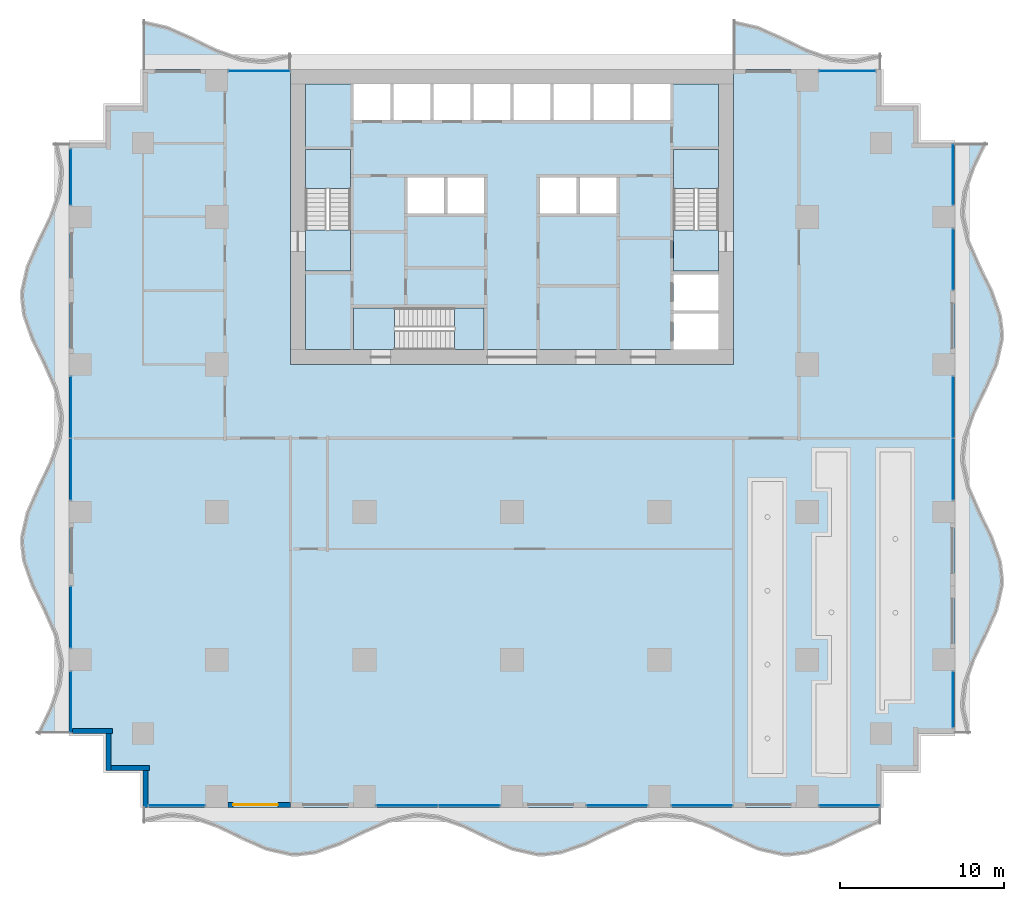
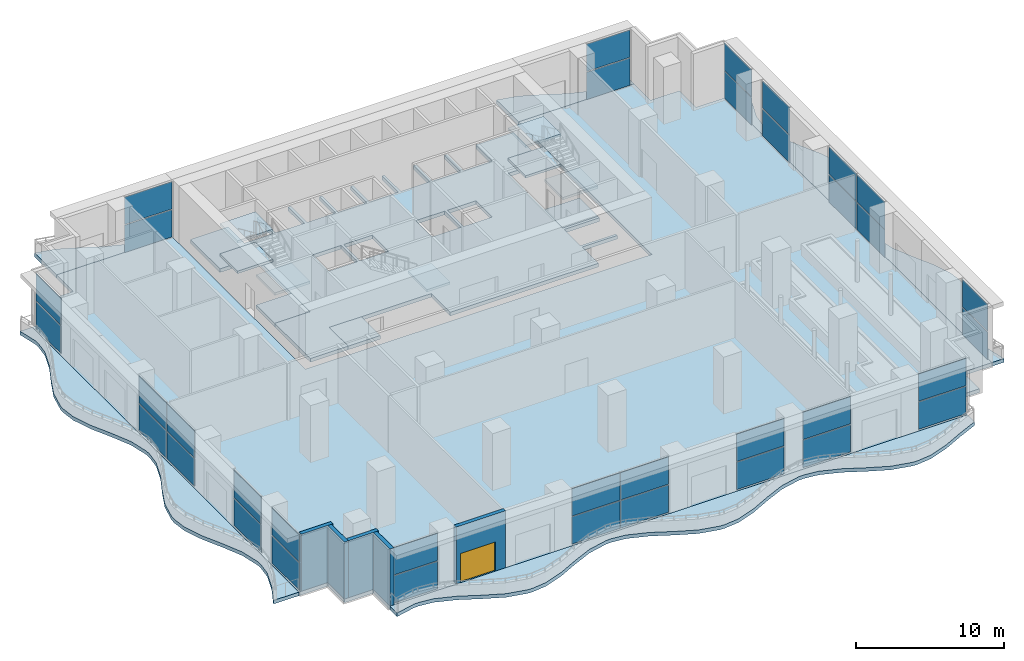
# One storey, part 6 of 18: 36 plates, 17 slabs, 5 walls, 1 door, 1 opening, 18 elements without a shape of their own.
"""IFC4 building model written with IfcOpenShell, lengths in metres."""

from ifc_helpers import new_model, si_unit, direction, frame, frame_2d, origin, origin_2d, place, context, subcontext, project, spatial, polyline, rectangle, outline, extrude, material, layer, layer_set, type_object, element, fill, aggregate, save


model = new_model("IFC4")

# Units and contexts
model_context = context("Model", 3, precision=1e-05, world=origin(), true_north=direction((0.0, 1.0)))
body_context = subcontext(model_context, "Body", "Model", "MODEL_VIEW")
ifc_project = project(units=[si_unit("LENGTHUNIT", "METRE"), si_unit("AREAUNIT", "SQUARE_METRE"), si_unit("VOLUMEUNIT", "CUBIC_METRE"), si_unit("PLANEANGLEUNIT", "RADIAN"), si_unit("MASSUNIT", "GRAM", prefix="KILO")], contexts=[model_context])

# Site, building, storey
site_placement = place(None, origin())
site = spatial("IfcSite", under=ifc_project, at=site_placement, CompositionType="ELEMENT")
building_placement = place(site_placement, origin())
building = spatial("IfcBuilding", under=site, at=building_placement, Name="Orbiselva Terraces", CompositionType="ELEMENT")
storey_placement = place(building_placement, frame((0.0, 0.0, 64.4)))
storey = spatial("IfcBuildingStorey", under=building, at=storey_placement, Name="L16", CompositionType="ELEMENT", Elevation=64.4)

# Slabs
ifc_material_1 = material(Name="Concrete C40/50", Category="concrete")
ifc_layer_1 = layer(ifc_material_1, 0.3)
ifc_layer_set_1 = layer_set([ifc_layer_1], Name="Concrete C40/50")
slab_type_1 = type_object("IfcSlabType", Name="CORE-SLAB-FLOOR-300", PredefinedType="FLOOR", material=ifc_layer_set_1)
slab_1_placement = place(storey_placement, frame((0.0, 0.0, -0.3)))
element("IfcSlab", 1, at=slab_1_placement, inside=storey, type_object=slab_type_1, Name="L16 S1 floor landing", PredefinedType="FLOOR", context=body_context, shape_type="SweptSolid", body=[
    extrude(outline(polyline([(-12.6, 12.7), (-9.85, 12.7), (-9.85, 10.2), (-12.6, 10.2), (-12.6, 12.7)])), origin(), (0.0, 0.0, 1.0), 0.3),
])
slab_2_placement = place(storey_placement, frame((0.0, 0.0, -0.3)))
element("IfcSlab", 2, at=slab_2_placement, inside=storey, type_object=slab_type_1, Name="L16 S2 floor landing", PredefinedType="FLOOR", context=body_context, shape_type="SweptSolid", body=[
    extrude(outline(polyline([(12.6, 12.7), (12.6, 10.2), (9.85, 10.2), (9.85, 12.7), (12.6, 12.7)])), origin(), (0.0, 0.0, 1.0), 0.3),
])
slab_3_placement = place(storey_placement, frame((0.0, 0.0, -0.3)))
element("IfcSlab", 3, at=slab_3_placement, inside=storey, type_object=slab_type_1, Name="L16 S3 floor landing", PredefinedType="FLOOR", context=body_context, shape_type="SweptSolid", body=[
    extrude(outline(polyline([(-7.15, 5.4), (-9.65, 5.4), (-9.65, 7.95), (-7.15, 7.95), (-7.15, 5.4)])), origin(), (0.0, 0.0, 1.0), 0.3),
])
slab_4_placement = place(storey_placement, frame((0.0, 0.0, -0.3)))
element("IfcSlab", 4, at=slab_4_placement, inside=storey, type_object=slab_type_1, Name="L16 core floor slab 1", PredefinedType="FLOOR", context=body_context, shape_type="SweptSolid", body=[
    extrude(outline(polyline([(-1.7, 5.4), (-1.7, 7.95), (-9.65, 7.95), (-9.65, 5.4), (-12.6, 5.4), (-12.6, 10.2), (-9.85, 10.2), (-9.85, 17.6), (-12.6, 17.6), (-12.6, 21.6), (-9.65, 21.6), (-9.65, 19.4), (-7.4125, 19.4), (-7.4125, 21.6), (-7.2125, 21.6), (-7.2125, 19.4), (-4.975, 19.4), (-4.975, 21.6), (-4.775, 21.6), (-4.775, 19.4), (-2.5375, 19.4), (-2.5375, 21.6), (-2.3375, 21.6), (-2.3375, 19.4), (-0.1, 19.4), (-0.1, 21.6), (0.1, 21.6), (0.1, 19.4), (2.3375, 19.4), (2.3375, 21.6), (2.5375, 21.6), (2.5375, 19.4), (4.775, 19.4), (4.775, 21.6), (4.975, 21.6), (4.975, 19.4), (7.2125, 19.4), (7.2125, 21.6), (7.4125, 21.6), (7.4125, 19.4), (9.65, 19.4), (9.65, 21.6), (12.6, 21.6), (12.6, 17.6), (9.85, 17.6), (9.85, 10.2), (12.6, 10.2), (12.6, 10.0), (9.85, 10.0), (9.85, 7.8), (12.6, 7.8), (12.6, 7.6), (9.85, 7.6), (9.85, 5.4), (-1.7, 5.4)]), holes=[polyline([(-4.1375, 13.7), (-4.1375, 15.9), (-6.375, 15.9), (-6.375, 13.7), (-4.1375, 13.7)]), polyline([(-1.7, 13.7), (-1.7, 15.9), (-3.9375, 15.9), (-3.9375, 13.7), (-1.7, 13.7)]), polyline([(3.9375, 13.7), (3.9375, 15.9), (1.7, 15.9), (1.7, 13.7), (3.9375, 13.7)]), polyline([(6.375, 13.7), (6.375, 15.9), (4.1375, 15.9), (4.1375, 13.7), (6.375, 13.7)])]), origin(), (0.0, 0.0, 1.0), 0.3),
])

# Stair, slabs
stair_type_1 = type_object("IfcStairType", Name="CORE-STAIR-1300", PredefinedType="HALF_TURN_STAIR", material=ifc_material_1)
stair_1_placement = place(storey_placement, origin())
stair_1 = element("IfcStair", 5, at=stair_1_placement, inside=storey, type_object=stair_type_1, Name="L16 Exit Stair S1", PredefinedType="HALF_TURN_STAIR")
ifc_layer_2 = layer(ifc_material_1, 0.2)
ifc_layer_set_2 = layer_set([ifc_layer_2], Name="Concrete C40/50")
slab_type_2 = type_object("IfcSlabType", Name="CORE-STAIR-LANDING-200", PredefinedType="LANDING", material=ifc_layer_set_2)
slab_5_placement = place(storey_placement, frame((0.0, 0.0, 1.05)))
slab_5 = element("IfcSlab", 6, at=slab_5_placement, type_object=slab_type_2, Name="S1 landing 1", PredefinedType="LANDING", context=body_context, shape_type="SweptSolid", body=[
    extrude(outline(polyline([(-9.85, 15.22), (-9.85, 17.6), (-12.6, 17.6), (-12.6, 15.22), (-9.85, 15.22)])), origin(), (0.0, 0.0, 1.0), 0.2),
])
slab_6_placement = place(storey_placement, frame((0.0, 0.0, 2.3)))
slab_6 = element("IfcSlab", 7, at=slab_6_placement, type_object=slab_type_2, Name="S1 landing 2", PredefinedType="LANDING", context=body_context, shape_type="SweptSolid", body=[
    extrude(outline(polyline([(-9.85, 10.2), (-9.85, 12.7), (-12.6, 12.7), (-12.6, 10.2), (-9.85, 10.2)])), origin(), (0.0, 0.0, 1.0), 0.2),
])
slab_7_placement = place(storey_placement, frame((0.0, 0.0, 3.55)))
slab_7 = element("IfcSlab", 8, at=slab_7_placement, type_object=slab_type_2, Name="S1 landing 3", PredefinedType="LANDING", context=body_context, shape_type="SweptSolid", body=[
    extrude(outline(polyline([(-9.85, 15.22), (-9.85, 17.6), (-12.6, 17.6), (-12.6, 15.22), (-9.85, 15.22)])), origin(), (0.0, 0.0, 1.0), 0.2),
])
aggregate(stair_1, [slab_5, slab_6, slab_7])

stair_2_placement = place(storey_placement, origin())
stair_2 = element("IfcStair", 9, at=stair_2_placement, inside=storey, type_object=stair_type_1, Name="L16 Exit Stair S2", PredefinedType="HALF_TURN_STAIR")
slab_8_placement = place(storey_placement, frame((0.0, 0.0, 1.05)))
slab_8 = element("IfcSlab", 10, at=slab_8_placement, type_object=slab_type_2, Name="S2 landing 1", PredefinedType="LANDING", context=body_context, shape_type="SweptSolid", body=[
    extrude(outline(polyline([(12.6, 15.22), (12.6, 17.6), (9.85, 17.6), (9.85, 15.22), (12.6, 15.22)])), origin(), (0.0, 0.0, 1.0), 0.2),
])
slab_9_placement = place(storey_placement, frame((0.0, 0.0, 2.3)))
slab_9 = element("IfcSlab", 11, at=slab_9_placement, type_object=slab_type_2, Name="S2 landing 2", PredefinedType="LANDING", context=body_context, shape_type="SweptSolid", body=[
    extrude(outline(polyline([(12.6, 10.2), (12.6, 12.7), (9.85, 12.7), (9.85, 10.2), (12.6, 10.2)])), origin(), (0.0, 0.0, 1.0), 0.2),
])
slab_10_placement = place(storey_placement, frame((0.0, 0.0, 3.55)))
slab_10 = element("IfcSlab", 12, at=slab_10_placement, type_object=slab_type_2, Name="S2 landing 3", PredefinedType="LANDING", context=body_context, shape_type="SweptSolid", body=[
    extrude(outline(polyline([(12.6, 15.22), (12.6, 17.6), (9.85, 17.6), (9.85, 15.22), (12.6, 15.22)])), origin(), (0.0, 0.0, 1.0), 0.2),
])
aggregate(stair_2, [slab_8, slab_9, slab_10])

# Stair, slab
stair_type_2 = type_object("IfcStairType", Name="CORE-STAIR-1200", PredefinedType="HALF_TURN_STAIR", material=ifc_material_1)
stair_3_placement = place(storey_placement, origin())
stair_3 = element("IfcStair", 13, at=stair_3_placement, inside=storey, type_object=stair_type_2, Name="L16 Exit Stair S3", PredefinedType="HALF_TURN_STAIR")
slab_11_placement = place(storey_placement, frame((0.0, 0.0, 2.3)))
slab_11 = element("IfcSlab", 14, at=slab_11_placement, type_object=slab_type_2, Name="S3 landing 1", PredefinedType="LANDING", context=body_context, shape_type="SweptSolid", body=[
    extrude(outline(polyline([(-3.51, 5.4), (-1.7, 5.4), (-1.7, 7.95), (-3.51, 7.95), (-3.51, 5.4)])), origin(), (0.0, 0.0, 1.0), 0.2),
])
aggregate(stair_3, [slab_11])

# Slabs
ifc_material_2 = material(Name="Concrete C50/60", Category="concrete")
ifc_layer_3 = layer(ifc_material_2, 0.3)
ifc_layer_set_3 = layer_set([ifc_layer_3], Name="Concrete C50/60")
slab_type_3 = type_object("IfcSlabType", Name="ENV-BALCONY-SLAB-300", PredefinedType="FLOOR", material=ifc_layer_set_3)
slab_12_placement = place(storey_placement, frame((0.0, 0.0, -0.3)))
element("IfcSlab", 15, at=slab_12_placement, inside=storey, type_object=slab_type_3, Name="Balcony slab L16 S", PredefinedType="FLOOR", context=body_context, shape_type="SweptSolid", body=[
    extrude(outline(polyline([(-22.5, -23.451472), (-21.0, -23.114774), (-20.625, -23.1), (-19.5, -23.230792), (-18.0, -23.755211), (-16.5, -24.487721), (-15.0, -25.148528), (-13.5, -25.485226), (-13.125, -25.5), (-12.0, -25.369208), (-10.5, -24.844789), (-9.0, -24.112279), (-7.5, -23.451472), (-6.0, -23.114774), (-5.625, -23.1), (-4.5, -23.230792), (-3.0, -23.755211), (-1.5, -24.487721), (0.0, -25.148528), (1.5, -25.485226), (1.875, -25.5), (3.0, -25.369208), (4.5, -24.844789), (6.0, -24.112279), (7.5, -23.451472), (9.0, -23.114774), (9.375, -23.1), (10.5, -23.230792), (12.0, -23.755211), (13.5, -24.487721), (15.0, -25.148528), (16.5, -25.485226), (16.875, -25.5), (18.0, -25.369208), (19.5, -24.844789), (21.0, -24.112279), (22.5, -23.451472), (22.5, -22.5), (-22.5, -22.5), (-22.5, -23.451472)])), origin(), (0.0, 0.0, 1.0), 0.3),
])
slab_13_placement = place(storey_placement, frame((0.0, 0.0, -0.3)))
element("IfcSlab", 16, at=slab_13_placement, inside=storey, type_object=slab_type_3, Name="Balcony slab L16 E", PredefinedType="FLOOR", context=body_context, shape_type="SweptSolid", body=[
    extrude(outline(polyline([(27.951472, -18.0), (27.614774, -16.5), (27.6, -16.125), (27.730792, -15.0), (28.255211, -13.5), (28.987721, -12.0), (29.648528, -10.5), (29.985226, -9.0), (30.0, -8.625), (29.869208, -7.5), (29.344789, -6.0), (28.612279, -4.5), (27.951472, -3.0), (27.614774, -1.5), (27.6, -1.125), (27.730792, 0.0), (28.255211, 1.5), (28.987721, 3.0), (29.648528, 4.5), (29.985226, 6.0), (30.0, 6.375), (29.869208, 7.5), (29.344789, 9.0), (28.612279, 10.5), (27.951472, 12.0), (27.614774, 13.5), (27.6, 13.875), (27.730792, 15.0), (28.255211, 16.5), (28.987721, 18.0), (27.0, 18.0), (27.0, -18.0), (27.951472, -18.0)])), origin(), (0.0, 0.0, 1.0), 0.3),
])
slab_14_placement = place(storey_placement, frame((0.0, 0.0, -0.3)))
element("IfcSlab", 17, at=slab_14_placement, inside=storey, type_object=slab_type_3, Name="Balcony slab L16 NE", PredefinedType="FLOOR", context=body_context, shape_type="SweptSolid", body=[
    extrude(outline(polyline([(22.5, 23.451472), (21.0, 23.114774), (20.625, 23.1), (19.5, 23.230792), (18.0, 23.755211), (16.5, 24.487721), (15.0, 25.148528), (13.5, 25.485226), (13.5, 22.5), (22.5, 22.5), (22.5, 23.451472)])), origin(), (0.0, 0.0, 1.0), 0.3),
])
slab_15_placement = place(storey_placement, frame((0.0, 0.0, -0.3)))
element("IfcSlab", 18, at=slab_15_placement, inside=storey, type_object=slab_type_3, Name="Balcony slab L16 NW", PredefinedType="FLOOR", context=body_context, shape_type="SweptSolid", body=[
    extrude(outline(polyline([(-13.5, 23.451472), (-15.0, 23.114774), (-15.375, 23.1), (-16.5, 23.230792), (-18.0, 23.755211), (-19.5, 24.487721), (-21.0, 25.148528), (-22.5, 25.485226), (-22.5, 22.5), (-13.5, 22.5), (-13.5, 23.451472)])), origin(), (0.0, 0.0, 1.0), 0.3),
])
slab_16_placement = place(storey_placement, frame((0.0, 0.0, -0.3)))
element("IfcSlab", 19, at=slab_16_placement, inside=storey, type_object=slab_type_3, Name="Balcony slab L16 W", PredefinedType="FLOOR", context=body_context, shape_type="SweptSolid", body=[
    extrude(outline(polyline([(-27.951472, 18.0), (-27.614774, 16.5), (-27.6, 16.125), (-27.730792, 15.0), (-28.255211, 13.5), (-28.987721, 12.0), (-29.648528, 10.5), (-29.985226, 9.0), (-30.0, 8.625), (-29.869208, 7.5), (-29.344789, 6.0), (-28.612279, 4.5), (-27.951472, 3.0), (-27.614774, 1.5), (-27.6, 1.125), (-27.730792, 0.0), (-28.255211, -1.5), (-28.987721, -3.0), (-29.648528, -4.5), (-29.985226, -6.0), (-30.0, -6.375), (-29.869208, -7.5), (-29.344789, -9.0), (-28.612279, -10.5), (-27.951472, -12.0), (-27.614774, -13.5), (-27.6, -13.875), (-27.730792, -15.0), (-28.255211, -16.5), (-28.987721, -18.0), (-27.0, -18.0), (-27.0, 18.0), (-27.951472, 18.0)])), origin(), (0.0, 0.0, 1.0), 0.3),
])

# Curtain wall, plates
ifc_material_3 = material(Name="Clear low-e glazing in aluminium frame", Category="aluminium")
curtain_wall_type = type_object("IfcCurtainWallType", Name="ENV-CW-SKY", PredefinedType="NOTDEFINED", material=ifc_material_3)
curtain_wall_1_placement = place(storey_placement, origin())
curtain_wall_1 = element("IfcCurtainWall", 20, at=curtain_wall_1_placement, inside=storey, type_object=curtain_wall_type, Name="Curtain wall L16 S", PredefinedType="NOTDEFINED")
ifc_material_4 = material(Name="Clear low-e glass", Category="glass")
ifc_layer_4 = layer(ifc_material_4, 0.028)
ifc_layer_set_4 = layer_set([ifc_layer_4], Name="Clear low-e glass")
plate_type = type_object("IfcPlateType", Name="ENV-CW-SKY-PANEL-28", PredefinedType="CURTAIN_PANEL", material=ifc_layer_set_4)
plate_1_placement = place(storey_placement, frame((-20.4375, -22.4, 0.065), z_axis=(0.0, 0.0, 1.0), x_axis=(1.0, 0.0, 0.0)))
plate_1 = element("IfcPlate", 21, at=plate_1_placement, type_object=plate_type, Name="CW3 panel 1.1", PredefinedType="CURTAIN_PANEL", context=body_context, shape_type="SweptSolid", body=[
    extrude(rectangle(XDim=3.395, YDim=0.028, at=origin_2d()), origin(), (0.0, 0.0, 1.0), 2.2525),
])
plate_2_placement = place(storey_placement, frame((-20.4375, -22.4, 2.3825), z_axis=(0.0, 0.0, 1.0), x_axis=(1.0, 0.0, 0.0)))
plate_2 = element("IfcPlate", 22, at=plate_2_placement, type_object=plate_type, Name="CW3 panel 1.2", PredefinedType="CURTAIN_PANEL", context=body_context, shape_type="SweptSolid", body=[
    extrude(rectangle(XDim=3.395, YDim=0.028, at=origin_2d()), origin(), (0.0, 0.0, 1.0), 2.2525),
])
aggregate(curtain_wall_1, [plate_1, plate_2])

curtain_wall_2_placement = place(storey_placement, origin())
curtain_wall_2 = element("IfcCurtainWall", 23, at=curtain_wall_2_placement, inside=storey, type_object=curtain_wall_type, Name="Curtain wall L16 S", PredefinedType="NOTDEFINED")
plate_3_placement = place(storey_placement, frame((-6.39625, -22.4, 0.065), z_axis=(0.0, 0.0, 1.0), x_axis=(1.0, 0.0, 0.0)))
plate_3 = element("IfcPlate", 24, at=plate_3_placement, type_object=plate_type, Name="CW3 panel 1.1", PredefinedType="CURTAIN_PANEL", context=body_context, shape_type="SweptSolid", body=[
    extrude(rectangle(XDim=3.7275, YDim=0.028, at=origin_2d()), origin(), (0.0, 0.0, 1.0), 2.2525),
])
plate_4_placement = place(storey_placement, frame((-6.39625, -22.4, 2.3825), z_axis=(0.0, 0.0, 1.0), x_axis=(1.0, 0.0, 0.0)))
plate_4 = element("IfcPlate", 25, at=plate_4_placement, type_object=plate_type, Name="CW3 panel 1.2", PredefinedType="CURTAIN_PANEL", context=body_context, shape_type="SweptSolid", body=[
    extrude(rectangle(XDim=3.7275, YDim=0.028, at=origin_2d()), origin(), (0.0, 0.0, 1.0), 2.2525),
])
plate_5_placement = place(storey_placement, frame((-2.60375, -22.4, 0.065), z_axis=(0.0, 0.0, 1.0), x_axis=(1.0, 0.0, 0.0)))
plate_5 = element("IfcPlate", 26, at=plate_5_placement, type_object=plate_type, Name="CW3 panel 2.1", PredefinedType="CURTAIN_PANEL", context=body_context, shape_type="SweptSolid", body=[
    extrude(rectangle(XDim=3.7275, YDim=0.028, at=origin_2d()), origin(), (0.0, 0.0, 1.0), 2.2525),
])
plate_6_placement = place(storey_placement, frame((-2.60375, -22.4, 2.3825), z_axis=(0.0, 0.0, 1.0), x_axis=(1.0, 0.0, 0.0)))
plate_6 = element("IfcPlate", 27, at=plate_6_placement, type_object=plate_type, Name="CW3 panel 2.2", PredefinedType="CURTAIN_PANEL", context=body_context, shape_type="SweptSolid", body=[
    extrude(rectangle(XDim=3.7275, YDim=0.028, at=origin_2d()), origin(), (0.0, 0.0, 1.0), 2.2525),
])
aggregate(curtain_wall_2, [plate_3, plate_4, plate_5, plate_6])

curtain_wall_3_placement = place(storey_placement, origin())
curtain_wall_3 = element("IfcCurtainWall", 28, at=curtain_wall_3_placement, inside=storey, type_object=curtain_wall_type, Name="Curtain wall L16 S", PredefinedType="NOTDEFINED")
plate_7_placement = place(storey_placement, frame((6.4125, -22.4, 0.065), z_axis=(0.0, 0.0, 1.0), x_axis=(1.0, 0.0, 0.0)))
plate_7 = element("IfcPlate", 29, at=plate_7_placement, type_object=plate_type, Name="CW3 panel 1.1", PredefinedType="CURTAIN_PANEL", context=body_context, shape_type="SweptSolid", body=[
    extrude(rectangle(XDim=3.695, YDim=0.028, at=origin_2d()), origin(), (0.0, 0.0, 1.0), 2.2525),
])
plate_8_placement = place(storey_placement, frame((6.4125, -22.4, 2.3825), z_axis=(0.0, 0.0, 1.0), x_axis=(1.0, 0.0, 0.0)))
plate_8 = element("IfcPlate", 30, at=plate_8_placement, type_object=plate_type, Name="CW3 panel 1.2", PredefinedType="CURTAIN_PANEL", context=body_context, shape_type="SweptSolid", body=[
    extrude(rectangle(XDim=3.695, YDim=0.028, at=origin_2d()), origin(), (0.0, 0.0, 1.0), 2.2525),
])
aggregate(curtain_wall_3, [plate_7, plate_8])

curtain_wall_4_placement = place(storey_placement, origin())
curtain_wall_4 = element("IfcCurtainWall", 31, at=curtain_wall_4_placement, inside=storey, type_object=curtain_wall_type, Name="Curtain wall L16 S", PredefinedType="NOTDEFINED")
plate_9_placement = place(storey_placement, frame((11.5875, -22.4, 0.065), z_axis=(0.0, 0.0, 1.0), x_axis=(1.0, 0.0, 0.0)))
plate_9 = element("IfcPlate", 32, at=plate_9_placement, type_object=plate_type, Name="CW3 panel 1.1", PredefinedType="CURTAIN_PANEL", context=body_context, shape_type="SweptSolid", body=[
    extrude(rectangle(XDim=3.695, YDim=0.028, at=origin_2d()), origin(), (0.0, 0.0, 1.0), 2.2525),
])
plate_10_placement = place(storey_placement, frame((11.5875, -22.4, 2.3825), z_axis=(0.0, 0.0, 1.0), x_axis=(1.0, 0.0, 0.0)))
plate_10 = element("IfcPlate", 33, at=plate_10_placement, type_object=plate_type, Name="CW3 panel 1.2", PredefinedType="CURTAIN_PANEL", context=body_context, shape_type="SweptSolid", body=[
    extrude(rectangle(XDim=3.695, YDim=0.028, at=origin_2d()), origin(), (0.0, 0.0, 1.0), 2.2525),
])
aggregate(curtain_wall_4, [plate_9, plate_10])

curtain_wall_5_placement = place(storey_placement, origin())
curtain_wall_5 = element("IfcCurtainWall", 34, at=curtain_wall_5_placement, inside=storey, type_object=curtain_wall_type, Name="Curtain wall L16 S", PredefinedType="NOTDEFINED")
plate_11_placement = place(storey_placement, frame((20.5875, -22.4, 0.065), z_axis=(0.0, 0.0, 1.0), x_axis=(1.0, 0.0, 0.0)))
plate_11 = element("IfcPlate", 35, at=plate_11_placement, type_object=plate_type, Name="CW3 panel 1.1", PredefinedType="CURTAIN_PANEL", context=body_context, shape_type="SweptSolid", body=[
    extrude(rectangle(XDim=3.695, YDim=0.028, at=origin_2d()), origin(), (0.0, 0.0, 1.0), 2.2525),
])
plate_12_placement = place(storey_placement, frame((20.5875, -22.4, 2.3825), z_axis=(0.0, 0.0, 1.0), x_axis=(1.0, 0.0, 0.0)))
plate_12 = element("IfcPlate", 36, at=plate_12_placement, type_object=plate_type, Name="CW3 panel 1.2", PredefinedType="CURTAIN_PANEL", context=body_context, shape_type="SweptSolid", body=[
    extrude(rectangle(XDim=3.695, YDim=0.028, at=origin_2d()), origin(), (0.0, 0.0, 1.0), 2.2525),
])
aggregate(curtain_wall_5, [plate_11, plate_12])

curtain_wall_6_placement = place(storey_placement, origin())
curtain_wall_6 = element("IfcCurtainWall", 37, at=curtain_wall_6_placement, inside=storey, type_object=curtain_wall_type, Name="Curtain wall L16 E", PredefinedType="NOTDEFINED")
plate_13_placement = place(storey_placement, frame((26.9, -15.9375, 0.065), z_axis=(0.0, 0.0, 1.0), x_axis=(0.0, 1.0, 0.0)))
plate_13 = element("IfcPlate", 38, at=plate_13_placement, type_object=plate_type, Name="CW3 panel 1.1", PredefinedType="CURTAIN_PANEL", context=body_context, shape_type="SweptSolid", body=[
    extrude(rectangle(XDim=3.395, YDim=0.028, at=origin_2d()), origin(), (0.0, 0.0, 1.0), 2.2525),
])
plate_14_placement = place(storey_placement, frame((26.9, -15.9375, 2.3825), z_axis=(0.0, 0.0, 1.0), x_axis=(0.0, 1.0, 0.0)))
plate_14 = element("IfcPlate", 39, at=plate_14_placement, type_object=plate_type, Name="CW3 panel 1.2", PredefinedType="CURTAIN_PANEL", context=body_context, shape_type="SweptSolid", body=[
    extrude(rectangle(XDim=3.395, YDim=0.028, at=origin_2d()), origin(), (0.0, 0.0, 1.0), 2.2525),
])
aggregate(curtain_wall_6, [plate_13, plate_14])

curtain_wall_7_placement = place(storey_placement, origin())
curtain_wall_7 = element("IfcCurtainWall", 40, at=curtain_wall_7_placement, inside=storey, type_object=curtain_wall_type, Name="Curtain wall L16 E", PredefinedType="NOTDEFINED")
plate_15_placement = place(storey_placement, frame((26.9, -1.89625, 0.065), z_axis=(0.0, 0.0, 1.0), x_axis=(0.0, 1.0, 0.0)))
plate_15 = element("IfcPlate", 41, at=plate_15_placement, type_object=plate_type, Name="CW3 panel 1.1", PredefinedType="CURTAIN_PANEL", context=body_context, shape_type="SweptSolid", body=[
    extrude(rectangle(XDim=3.7275, YDim=0.028, at=origin_2d()), origin(), (0.0, 0.0, 1.0), 2.2525),
])
plate_16_placement = place(storey_placement, frame((26.9, -1.89625, 2.3825), z_axis=(0.0, 0.0, 1.0), x_axis=(0.0, 1.0, 0.0)))
plate_16 = element("IfcPlate", 42, at=plate_16_placement, type_object=plate_type, Name="CW3 panel 1.2", PredefinedType="CURTAIN_PANEL", context=body_context, shape_type="SweptSolid", body=[
    extrude(rectangle(XDim=3.7275, YDim=0.028, at=origin_2d()), origin(), (0.0, 0.0, 1.0), 2.2525),
])
plate_17_placement = place(storey_placement, frame((26.9, 1.89625, 0.065), z_axis=(0.0, 0.0, 1.0), x_axis=(0.0, 1.0, 0.0)))
plate_17 = element("IfcPlate", 43, at=plate_17_placement, type_object=plate_type, Name="CW3 panel 2.1", PredefinedType="CURTAIN_PANEL", context=body_context, shape_type="SweptSolid", body=[
    extrude(rectangle(XDim=3.7275, YDim=0.028, at=origin_2d()), origin(), (0.0, 0.0, 1.0), 2.2525),
])
plate_18_placement = place(storey_placement, frame((26.9, 1.89625, 2.3825), z_axis=(0.0, 0.0, 1.0), x_axis=(0.0, 1.0, 0.0)))
plate_18 = element("IfcPlate", 44, at=plate_18_placement, type_object=plate_type, Name="CW3 panel 2.2", PredefinedType="CURTAIN_PANEL", context=body_context, shape_type="SweptSolid", body=[
    extrude(rectangle(XDim=3.7275, YDim=0.028, at=origin_2d()), origin(), (0.0, 0.0, 1.0), 2.2525),
])
aggregate(curtain_wall_7, [plate_15, plate_16, plate_17, plate_18])

curtain_wall_8_placement = place(storey_placement, origin())
curtain_wall_8 = element("IfcCurtainWall", 45, at=curtain_wall_8_placement, inside=storey, type_object=curtain_wall_type, Name="Curtain wall L16 E", PredefinedType="NOTDEFINED")
plate_19_placement = place(storey_placement, frame((26.9, 10.9125, 0.065), z_axis=(0.0, 0.0, 1.0), x_axis=(0.0, 1.0, 0.0)))
plate_19 = element("IfcPlate", 46, at=plate_19_placement, type_object=plate_type, Name="CW3 panel 1.1", PredefinedType="CURTAIN_PANEL", context=body_context, shape_type="SweptSolid", body=[
    extrude(rectangle(XDim=3.695, YDim=0.028, at=origin_2d()), origin(), (0.0, 0.0, 1.0), 2.2525),
])
plate_20_placement = place(storey_placement, frame((26.9, 10.9125, 2.3825), z_axis=(0.0, 0.0, 1.0), x_axis=(0.0, 1.0, 0.0)))
plate_20 = element("IfcPlate", 47, at=plate_20_placement, type_object=plate_type, Name="CW3 panel 1.2", PredefinedType="CURTAIN_PANEL", context=body_context, shape_type="SweptSolid", body=[
    extrude(rectangle(XDim=3.695, YDim=0.028, at=origin_2d()), origin(), (0.0, 0.0, 1.0), 2.2525),
])
aggregate(curtain_wall_8, [plate_19, plate_20])

curtain_wall_9_placement = place(storey_placement, origin())
curtain_wall_9 = element("IfcCurtainWall", 48, at=curtain_wall_9_placement, inside=storey, type_object=curtain_wall_type, Name="Curtain wall L16 E", PredefinedType="NOTDEFINED")
plate_21_placement = place(storey_placement, frame((26.9, 16.0875, 0.065), z_axis=(0.0, 0.0, 1.0), x_axis=(0.0, 1.0, 0.0)))
plate_21 = element("IfcPlate", 49, at=plate_21_placement, type_object=plate_type, Name="CW3 panel 1.1", PredefinedType="CURTAIN_PANEL", context=body_context, shape_type="SweptSolid", body=[
    extrude(rectangle(XDim=3.695, YDim=0.028, at=origin_2d()), origin(), (0.0, 0.0, 1.0), 2.2525),
])
plate_22_placement = place(storey_placement, frame((26.9, 16.0875, 2.3825), z_axis=(0.0, 0.0, 1.0), x_axis=(0.0, 1.0, 0.0)))
plate_22 = element("IfcPlate", 50, at=plate_22_placement, type_object=plate_type, Name="CW3 panel 1.2", PredefinedType="CURTAIN_PANEL", context=body_context, shape_type="SweptSolid", body=[
    extrude(rectangle(XDim=3.695, YDim=0.028, at=origin_2d()), origin(), (0.0, 0.0, 1.0), 2.2525),
])
aggregate(curtain_wall_9, [plate_21, plate_22])

curtain_wall_10_placement = place(storey_placement, origin())
curtain_wall_10 = element("IfcCurtainWall", 51, at=curtain_wall_10_placement, inside=storey, type_object=curtain_wall_type, Name="Curtain wall L16 NE", PredefinedType="NOTDEFINED")
plate_23_placement = place(storey_placement, frame((20.4375, 22.4, 0.065), z_axis=(0.0, 0.0, 1.0), x_axis=(-1.0, 0.0, 0.0)))
plate_23 = element("IfcPlate", 52, at=plate_23_placement, type_object=plate_type, Name="CW3 panel 1.1", PredefinedType="CURTAIN_PANEL", context=body_context, shape_type="SweptSolid", body=[
    extrude(rectangle(XDim=3.395, YDim=0.028, at=origin_2d()), origin(), (0.0, 0.0, 1.0), 2.2525),
])
plate_24_placement = place(storey_placement, frame((20.4375, 22.4, 2.3825), z_axis=(0.0, 0.0, 1.0), x_axis=(-1.0, 0.0, 0.0)))
plate_24 = element("IfcPlate", 53, at=plate_24_placement, type_object=plate_type, Name="CW3 panel 1.2", PredefinedType="CURTAIN_PANEL", context=body_context, shape_type="SweptSolid", body=[
    extrude(rectangle(XDim=3.395, YDim=0.028, at=origin_2d()), origin(), (0.0, 0.0, 1.0), 2.2525),
])
aggregate(curtain_wall_10, [plate_23, plate_24])

curtain_wall_11_placement = place(storey_placement, origin())
curtain_wall_11 = element("IfcCurtainWall", 54, at=curtain_wall_11_placement, inside=storey, type_object=curtain_wall_type, Name="Curtain wall L16 NW", PredefinedType="NOTDEFINED")
plate_25_placement = place(storey_placement, frame((-15.4125, 22.4, 0.065), z_axis=(0.0, 0.0, 1.0), x_axis=(-1.0, 0.0, 0.0)))
plate_25 = element("IfcPlate", 55, at=plate_25_placement, type_object=plate_type, Name="CW3 panel 1.1", PredefinedType="CURTAIN_PANEL", context=body_context, shape_type="SweptSolid", body=[
    extrude(rectangle(XDim=3.695, YDim=0.028, at=origin_2d()), origin(), (0.0, 0.0, 1.0), 2.2525),
])
plate_26_placement = place(storey_placement, frame((-15.4125, 22.4, 2.3825), z_axis=(0.0, 0.0, 1.0), x_axis=(-1.0, 0.0, 0.0)))
plate_26 = element("IfcPlate", 56, at=plate_26_placement, type_object=plate_type, Name="CW3 panel 1.2", PredefinedType="CURTAIN_PANEL", context=body_context, shape_type="SweptSolid", body=[
    extrude(rectangle(XDim=3.695, YDim=0.028, at=origin_2d()), origin(), (0.0, 0.0, 1.0), 2.2525),
])
aggregate(curtain_wall_11, [plate_25, plate_26])

curtain_wall_12_placement = place(storey_placement, origin())
curtain_wall_12 = element("IfcCurtainWall", 57, at=curtain_wall_12_placement, inside=storey, type_object=curtain_wall_type, Name="Curtain wall L16 W", PredefinedType="NOTDEFINED")
plate_27_placement = place(storey_placement, frame((-26.9, 15.9375, 0.065), z_axis=(0.0, 0.0, 1.0), x_axis=(0.0, -1.0, 0.0)))
plate_27 = element("IfcPlate", 58, at=plate_27_placement, type_object=plate_type, Name="CW3 panel 1.1", PredefinedType="CURTAIN_PANEL", context=body_context, shape_type="SweptSolid", body=[
    extrude(rectangle(XDim=3.395, YDim=0.028, at=origin_2d()), origin(), (0.0, 0.0, 1.0), 2.2525),
])
plate_28_placement = place(storey_placement, frame((-26.9, 15.9375, 2.3825), z_axis=(0.0, 0.0, 1.0), x_axis=(0.0, -1.0, 0.0)))
plate_28 = element("IfcPlate", 59, at=plate_28_placement, type_object=plate_type, Name="CW3 panel 1.2", PredefinedType="CURTAIN_PANEL", context=body_context, shape_type="SweptSolid", body=[
    extrude(rectangle(XDim=3.395, YDim=0.028, at=origin_2d()), origin(), (0.0, 0.0, 1.0), 2.2525),
])
aggregate(curtain_wall_12, [plate_27, plate_28])

curtain_wall_13_placement = place(storey_placement, origin())
curtain_wall_13 = element("IfcCurtainWall", 60, at=curtain_wall_13_placement, inside=storey, type_object=curtain_wall_type, Name="Curtain wall L16 W", PredefinedType="NOTDEFINED")
plate_29_placement = place(storey_placement, frame((-26.9, 1.89625, 0.065), z_axis=(0.0, 0.0, 1.0), x_axis=(0.0, -1.0, 0.0)))
plate_29 = element("IfcPlate", 61, at=plate_29_placement, type_object=plate_type, Name="CW3 panel 1.1", PredefinedType="CURTAIN_PANEL", context=body_context, shape_type="SweptSolid", body=[
    extrude(rectangle(XDim=3.7275, YDim=0.028, at=origin_2d()), origin(), (0.0, 0.0, 1.0), 2.2525),
])
plate_30_placement = place(storey_placement, frame((-26.9, 1.89625, 2.3825), z_axis=(0.0, 0.0, 1.0), x_axis=(0.0, -1.0, 0.0)))
plate_30 = element("IfcPlate", 62, at=plate_30_placement, type_object=plate_type, Name="CW3 panel 1.2", PredefinedType="CURTAIN_PANEL", context=body_context, shape_type="SweptSolid", body=[
    extrude(rectangle(XDim=3.7275, YDim=0.028, at=origin_2d()), origin(), (0.0, 0.0, 1.0), 2.2525),
])
plate_31_placement = place(storey_placement, frame((-26.9, -1.89625, 0.065), z_axis=(0.0, 0.0, 1.0), x_axis=(0.0, -1.0, 0.0)))
plate_31 = element("IfcPlate", 63, at=plate_31_placement, type_object=plate_type, Name="CW3 panel 2.1", PredefinedType="CURTAIN_PANEL", context=body_context, shape_type="SweptSolid", body=[
    extrude(rectangle(XDim=3.7275, YDim=0.028, at=origin_2d()), origin(), (0.0, 0.0, 1.0), 2.2525),
])
plate_32_placement = place(storey_placement, frame((-26.9, -1.89625, 2.3825), z_axis=(0.0, 0.0, 1.0), x_axis=(0.0, -1.0, 0.0)))
plate_32 = element("IfcPlate", 64, at=plate_32_placement, type_object=plate_type, Name="CW3 panel 2.2", PredefinedType="CURTAIN_PANEL", context=body_context, shape_type="SweptSolid", body=[
    extrude(rectangle(XDim=3.7275, YDim=0.028, at=origin_2d()), origin(), (0.0, 0.0, 1.0), 2.2525),
])
aggregate(curtain_wall_13, [plate_29, plate_30, plate_31, plate_32])

curtain_wall_14_placement = place(storey_placement, origin())
curtain_wall_14 = element("IfcCurtainWall", 65, at=curtain_wall_14_placement, inside=storey, type_object=curtain_wall_type, Name="Curtain wall L16 W", PredefinedType="NOTDEFINED")
plate_33_placement = place(storey_placement, frame((-26.9, -10.9125, 0.065), z_axis=(0.0, 0.0, 1.0), x_axis=(0.0, -1.0, 0.0)))
plate_33 = element("IfcPlate", 66, at=plate_33_placement, type_object=plate_type, Name="CW3 panel 1.1", PredefinedType="CURTAIN_PANEL", context=body_context, shape_type="SweptSolid", body=[
    extrude(rectangle(XDim=3.695, YDim=0.028, at=origin_2d()), origin(), (0.0, 0.0, 1.0), 2.2525),
])
plate_34_placement = place(storey_placement, frame((-26.9, -10.9125, 2.3825), z_axis=(0.0, 0.0, 1.0), x_axis=(0.0, -1.0, 0.0)))
plate_34 = element("IfcPlate", 67, at=plate_34_placement, type_object=plate_type, Name="CW3 panel 1.2", PredefinedType="CURTAIN_PANEL", context=body_context, shape_type="SweptSolid", body=[
    extrude(rectangle(XDim=3.695, YDim=0.028, at=origin_2d()), origin(), (0.0, 0.0, 1.0), 2.2525),
])
aggregate(curtain_wall_14, [plate_33, plate_34])

curtain_wall_15_placement = place(storey_placement, origin())
curtain_wall_15 = element("IfcCurtainWall", 68, at=curtain_wall_15_placement, inside=storey, type_object=curtain_wall_type, Name="Curtain wall L16 W", PredefinedType="NOTDEFINED")
plate_35_placement = place(storey_placement, frame((-26.9, -16.0875, 0.065), z_axis=(0.0, 0.0, 1.0), x_axis=(0.0, -1.0, 0.0)))
plate_35 = element("IfcPlate", 69, at=plate_35_placement, type_object=plate_type, Name="CW3 panel 1.1", PredefinedType="CURTAIN_PANEL", context=body_context, shape_type="SweptSolid", body=[
    extrude(rectangle(XDim=3.695, YDim=0.028, at=origin_2d()), origin(), (0.0, 0.0, 1.0), 2.2525),
])
plate_36_placement = place(storey_placement, frame((-26.9, -16.0875, 2.3825), z_axis=(0.0, 0.0, 1.0), x_axis=(0.0, -1.0, 0.0)))
plate_36 = element("IfcPlate", 70, at=plate_36_placement, type_object=plate_type, Name="CW3 panel 1.2", PredefinedType="CURTAIN_PANEL", context=body_context, shape_type="SweptSolid", body=[
    extrude(rectangle(XDim=3.695, YDim=0.028, at=origin_2d()), origin(), (0.0, 0.0, 1.0), 2.2525),
])
aggregate(curtain_wall_15, [plate_35, plate_36])

# Slab
ifc_layer_5 = layer(ifc_material_2, 0.3)
ifc_layer_set_5 = layer_set([ifc_layer_5], Name="Concrete C50/60")
slab_type_4 = type_object("IfcSlabType", Name="FLOOR SLAB 300", PredefinedType="FLOOR", material=ifc_layer_set_5)
slab_17_placement = place(storey_placement, frame((0.0, 0.0, -0.3)))
element("IfcSlab", 71, at=slab_17_placement, inside=storey, type_object=slab_type_4, Name="Floor slab L16", PredefinedType="FLOOR", context=body_context, shape_type="SweptSolid", body=[
    extrude(outline(polyline([(22.5, 22.5), (22.5, 20.25), (24.75, 20.25), (24.75, 18.0), (27.0, 18.0), (27.0, -18.0), (24.75, -18.0), (24.75, -20.25), (22.5, -20.25), (22.5, -22.5), (-22.5, -22.5), (-22.5, -20.25), (-24.75, -20.25), (-24.75, -18.0), (-27.0, -18.0), (-27.0, 18.0), (-24.75, 18.0), (-24.75, 20.25), (-22.5, 20.25), (-22.5, 22.5), (-13.5, 22.5), (-13.5, 4.5), (13.5, 4.5), (13.5, 22.5), (22.5, 22.5)])), origin(), (0.0, 0.0, 1.0), 0.3),
])

# Wall, opening, door
ifc_material_5 = material(Name="Terracotta cladding on masonry backing", Category="masonry")
ifc_layer_6 = layer(ifc_material_5, 0.3)
ifc_layer_set_6 = layer_set([ifc_layer_6], Name="Terracotta cladding on masonry backing")
wall_type = type_object("IfcWallType", Name="ENV-WALL-TERRACOTTA-300", PredefinedType="SOLIDWALL", material=ifc_layer_set_6)
wall_1_placement = place(storey_placement, frame((-13.5, -22.35, 0.0), z_axis=(0.0, 0.0, 1.0), x_axis=(-1.0, 0.0, 0.0)))
wall_1 = element("IfcWall", 72, at=wall_1_placement, inside=storey, type_object=wall_type, Name="Facade wall L16 S", PredefinedType="SOLIDWALL", context=body_context, shape_type="SweptSolid", body=[
    extrude(rectangle(XDim=3.825, YDim=0.3, at=frame_2d((1.9125, 0.0))), origin(), (0.0, 0.0, 1.0), 4.7),
])
opening_placement = place(wall_1_placement, frame((0.775, 0.0, 0.0)))
opening = element("IfcOpeningElement", 73, at=opening_placement, cuts=wall_1, Name="Opening SKY-1-E01", PredefinedType="OPENING", context=body_context, shape_type="SweptSolid", body=[
    extrude(rectangle(XDim=2.725, YDim=2.4, at=frame_2d((1.3625, 1.2))), frame((0.0, 0.16, 0.0), z_axis=(0.0, -1.0, 0.0), x_axis=(1.0, 0.0, 0.0)), (0.0, 0.0, 1.0), 0.32),
])
door_type = type_object("IfcDoorType", Name="BALCONY DOOR 2725 X 2400", OperationType="DOUBLE_DOOR_SLIDING", PredefinedType="DOOR", material=ifc_material_3)
door_placement = place(opening_placement, origin())
door = element("IfcDoor", 74, at=door_placement, inside=storey, type_object=door_type, Name="SKY-1-E01", OperationType="SINGLE_SWING_LEFT", OverallHeight=2.4, OverallWidth=2.725, PredefinedType="DOOR", context=body_context, shape_type="SweptSolid", body=[
    extrude(rectangle(XDim=2.725, YDim=2.4, at=frame_2d((1.3625, 1.2))), frame((0.0, 0.025, 0.0), z_axis=(0.0, -1.0, 0.0), x_axis=(1.0, 0.0, 0.0)), (0.0, 0.0, 1.0), 0.05),
])
fill(opening, door)

# Walls
wall_2_placement = place(storey_placement, frame((-24.35, -17.85, 0.0), z_axis=(0.0, 0.0, 1.0), x_axis=(-1.0, 0.0, 0.0)))
element("IfcWall", 75, at=wall_2_placement, inside=storey, type_object=wall_type, Name="Facade wall L16 STEP", PredefinedType="SOLIDWALL", context=body_context, shape_type="SweptSolid", body=[
    extrude(rectangle(XDim=2.45, YDim=0.3, at=frame_2d((1.225, 0.0))), origin(), (0.0, 0.0, 1.0), 4.7),
])
wall_3_placement = place(storey_placement, frame((-24.6, -20.25, 0.0), z_axis=(0.0, 0.0, 1.0), x_axis=(0.0, 1.0, 0.0)))
element("IfcWall", 76, at=wall_3_placement, inside=storey, type_object=wall_type, Name="Facade wall L16 STEP", PredefinedType="SOLIDWALL", context=body_context, shape_type="SweptSolid", body=[
    extrude(rectangle(XDim=2.25, YDim=0.3, at=frame_2d((1.125, 0.0))), origin(), (0.0, 0.0, 1.0), 4.7),
])
wall_4_placement = place(storey_placement, frame((-22.1, -20.1, 0.0), z_axis=(0.0, 0.0, 1.0), x_axis=(-1.0, 0.0, 0.0)))
element("IfcWall", 77, at=wall_4_placement, inside=storey, type_object=wall_type, Name="Facade wall L16 STEP", PredefinedType="SOLIDWALL", context=body_context, shape_type="SweptSolid", body=[
    extrude(rectangle(XDim=2.35, YDim=0.3, at=frame_2d((1.175, 0.0))), origin(), (0.0, 0.0, 1.0), 4.7),
])
wall_5_placement = place(storey_placement, frame((-22.35, -22.5, 0.0), z_axis=(0.0, 0.0, 1.0), x_axis=(0.0, 1.0, 0.0)))
element("IfcWall", 78, at=wall_5_placement, inside=storey, type_object=wall_type, Name="Facade wall L16 STEP", PredefinedType="SOLIDWALL", context=body_context, shape_type="SweptSolid", body=[
    extrude(rectangle(XDim=2.25, YDim=0.3, at=frame_2d((1.125, 0.0))), origin(), (0.0, 0.0, 1.0), 4.7),
])

save(model, "model.ifc")
